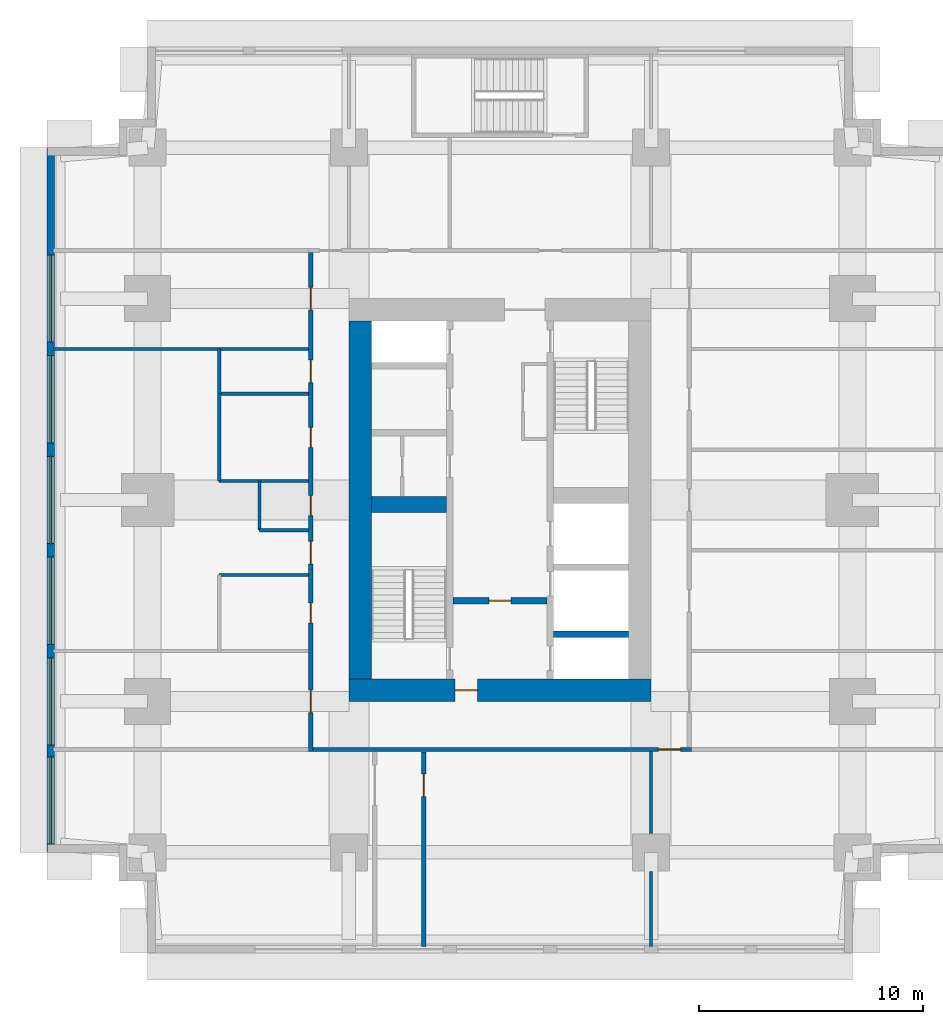
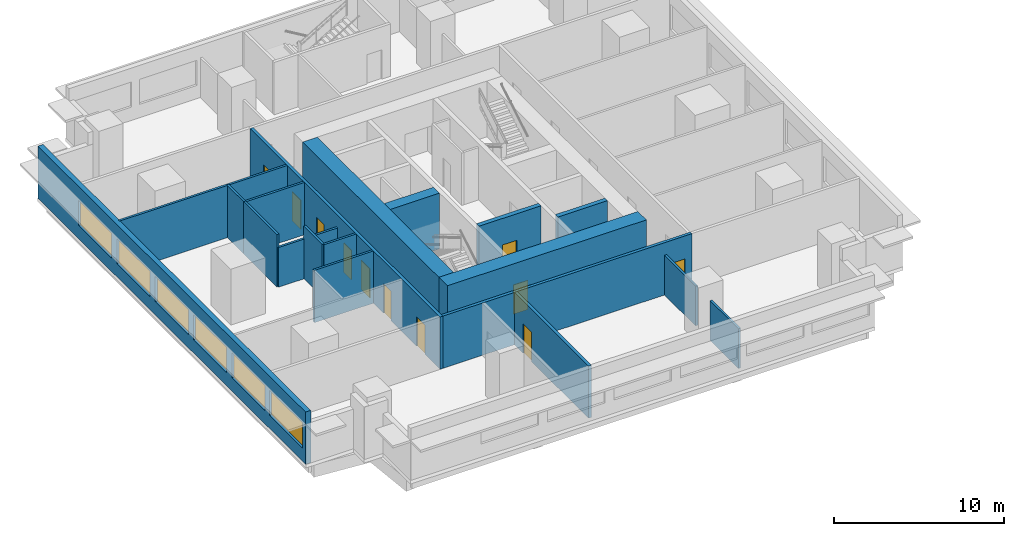
# One storey, part 3 of 11: 19 walls, 11 doors, 6 windows, 17 openings.
"""IFC4 building model written with IfcOpenShell, lengths in metres."""

from ifc_helpers import new_model, si_unit, direction, frame, frame_2d, origin, place, context, subcontext, project, spatial, rectangle, extrude, material, layer, layer_set, type_object, element, fill, save


model = new_model("IFC4")

# Units and contexts
model_context = context("Model", 3, precision=1e-05, world=origin(), true_north=direction((0.0, 1.0)))
body_context = subcontext(model_context, "Body", "Model", "MODEL_VIEW")
ifc_project = project(units=[si_unit("LENGTHUNIT", "METRE"), si_unit("AREAUNIT", "SQUARE_METRE"), si_unit("VOLUMEUNIT", "CUBIC_METRE"), si_unit("PLANEANGLEUNIT", "RADIAN"), si_unit("MASSUNIT", "GRAM", prefix="KILO")], contexts=[model_context])

# Site, building, storey
site_placement = place(None, origin())
site = spatial("IfcSite", under=ifc_project, at=site_placement, CompositionType="ELEMENT")
building_placement = place(site_placement, origin())
building = spatial("IfcBuilding", under=site, at=building_placement, Name="Namib Vertical Campus", CompositionType="ELEMENT")
storey_placement = place(building_placement, frame((0.0, 0.0, 185.0)))
storey = spatial("IfcBuildingStorey", under=building, at=storey_placement, Name="L43", CompositionType="ELEMENT", Elevation=185.0)

# Wall, opening, door
ifc_material_1 = material(Name="Concrete C60/75", Category="concrete")
ifc_layer_1 = layer(ifc_material_1, 0.300048828125)
ifc_layer_set_1 = layer_set([ifc_layer_1], Name="Concrete C60/75")
wall_type_1 = type_object("IfcWallType", Name="Core inner wall 300", PredefinedType="SHEAR", material=ifc_layer_set_1)
wall_1_placement = place(storey_placement, frame((18.14990234375, 15.75, 0.0), z_axis=(0.0, 0.0, 1.0), x_axis=(1.0, 0.0, 0.0)))
wall_1 = element("IfcWall", 1, at=wall_1_placement, inside=storey, type_object=wall_type_1, Name="Core inner wall A L43 W4", PredefinedType="SHEAR", context=body_context, shape_type="SweptSolid", body=[
    extrude(rectangle(XDim=4.2001953125, YDim=0.300048828125, at=frame_2d((2.10009765625, 0.0))), origin(), (0.0, 0.0, 1.0), 4.0),
])
opening_1_placement = place(wall_1_placement, frame((1.60009765625, 0.0, 0.0)))
opening_1 = element("IfcOpeningElement", 2, at=opening_1_placement, cuts=wall_1, Name="Opening FD5", PredefinedType="OPENING", context=body_context, shape_type="SweptSolid", body=[
    extrude(rectangle(XDim=1.0, YDim=2.10009765625, at=frame_2d((0.5, 1.050048828125))), frame((0.0, 0.159912109375, 0.0), z_axis=(0.0, -1.0, 0.0), x_axis=(1.0, 0.0, 0.0)), (0.0, 0.0, 1.0), 0.320068359375),
])
ifc_material_2 = material(Name="Steel fire door", Category="steel")
door_type_1 = type_object("IfcDoorType", Name="Fire door 1000x2100 120 min", OperationType="SINGLE_SWING_RIGHT", PredefinedType="DOOR", material=ifc_material_2)
door_1_placement = place(opening_1_placement, frame((1.0, 0.0, 0.0), z_axis=(0.0, 0.0, 1.0), x_axis=(-1.0, 0.0, 0.0)))
door_1 = element("IfcDoor", 3, at=door_1_placement, inside=storey, type_object=door_type_1, Name="Lobby door FD5 A L43", OperationType="SINGLE_SWING_RIGHT", OverallHeight=2.10009765625, OverallWidth=1.0, PredefinedType="DOOR", context=body_context, shape_type="SweptSolid", body=[
    extrude(rectangle(XDim=1.0, YDim=2.10009765625, at=frame_2d((0.5, 1.050048828125))), frame((0.0, 0.02490234375, 0.0), z_axis=(0.0, -1.0, 0.0), x_axis=(1.0, 0.0, 0.0)), (0.0, 0.0, 1.0), 0.050048828125),
])
fill(opening_1, door_1)

# Walls
wall_2_placement = place(storey_placement, frame((22.64990234375, 14.25, 0.0), z_axis=(0.0, 0.0, 1.0), x_axis=(1.0, 0.0, 0.0)))
element("IfcWall", 4, at=wall_2_placement, inside=storey, type_object=wall_type_1, Name="Core inner wall A L43 W5", PredefinedType="SHEAR", context=body_context, shape_type="SweptSolid", body=[
    extrude(rectangle(XDim=3.35009765625, YDim=0.300048828125, at=frame_2d((1.675048828125, 0.0))), origin(), (0.0, 0.0, 1.0), 4.0),
])
ifc_material_3 = material(Name="Concrete C60/75", Category="concrete")
ifc_layer_2 = layer(ifc_material_3, 0.699951171875)
ifc_layer_set_2 = layer_set([ifc_layer_2], Name="Concrete C60/75")
wall_type_2 = type_object("IfcWallType", Name="Core shear wall 700", PredefinedType="SHEAR", material=ifc_layer_set_2)
wall_3_placement = place(storey_placement, frame((14.5, 20.050048828125, 0.0), z_axis=(0.0, 0.0, 1.0), x_axis=(1.0, 0.0, 0.0)))
element("IfcWall", 5, at=wall_3_placement, inside=storey, type_object=wall_type_2, Name="Core shear wall A L43 W3", PredefinedType="SHEAR", context=body_context, shape_type="SweptSolid", body=[
    extrude(rectangle(XDim=3.35009765625, YDim=0.699951171875, at=frame_2d((1.675048828125, 0.0))), origin(), (0.0, 0.0, 1.0), 4.0),
])

# Wall, opening, door
ifc_material_4 = material(Name="Concrete C60/75", Category="concrete")
ifc_layer_3 = layer(ifc_material_4, 1.0)
ifc_layer_set_3 = layer_set([ifc_layer_3], Name="Concrete C60/75")
wall_type_3 = type_object("IfcWallType", Name="Core wall 1000", PredefinedType="SHEAR", material=ifc_layer_set_3)
wall_4_placement = place(storey_placement, frame((13.5, 11.75, 0.0), z_axis=(0.0, 0.0, 1.0), x_axis=(1.0, 0.0, 0.0)))
wall_4 = element("IfcWall", 6, at=wall_4_placement, inside=storey, type_object=wall_type_3, Name="Core wall A L43 1", PredefinedType="SHEAR", context=body_context, shape_type="SweptSolid", body=[
    extrude(rectangle(XDim=13.5, YDim=1.0, at=frame_2d((6.75, 0.0))), origin(), (0.0, 0.0, 1.0), 4.0),
])
opening_2_placement = place(wall_4_placement, frame((4.75, 0.0, 0.0)))
opening_2 = element("IfcOpeningElement", 7, at=opening_2_placement, cuts=wall_4, Name="Opening FD5", PredefinedType="OPENING", context=body_context, shape_type="SweptSolid", body=[
    extrude(rectangle(XDim=1.0, YDim=2.10009765625, at=frame_2d((0.5, 1.050048828125))), frame((0.0, 0.510009765625, 0.0), z_axis=(0.0, -1.0, 0.0), x_axis=(1.0, 0.0, 0.0)), (0.0, 0.0, 1.0), 1.02001953125),
])
door_2_placement = place(opening_2_placement, origin())
door_2 = element("IfcDoor", 8, at=door_2_placement, inside=storey, type_object=door_type_1, Name="Firefighting lobby door FD5 A L43", OperationType="SINGLE_SWING_LEFT", OverallHeight=2.10009765625, OverallWidth=1.0, PredefinedType="DOOR", context=body_context, shape_type="SweptSolid", body=[
    extrude(rectangle(XDim=1.0, YDim=2.10009765625, at=frame_2d((0.5, 1.050048828125))), frame((0.0, 0.02490234375, 0.0), z_axis=(0.0, -1.0, 0.0), x_axis=(1.0, 0.0, 0.0)), (0.0, 0.0, 1.0), 0.050048828125),
])
fill(opening_2, door_2)

# Wall
wall_5_placement = place(storey_placement, frame((14.0, 28.25, 0.0), z_axis=(0.0, 0.0, 1.0), x_axis=(0.0, -1.0, 0.0)))
element("IfcWall", 9, at=wall_5_placement, inside=storey, type_object=wall_type_3, Name="Core wall A L43 4", PredefinedType="SHEAR", context=body_context, shape_type="SweptSolid", body=[
    extrude(rectangle(XDim=16.0, YDim=1.0, at=frame_2d((8.0, 0.0))), origin(), (0.0, 0.0, 1.0), 4.0),
])

# Wall, opening, door
ifc_material_5 = material(Name="Concrete masonry", Category="masonry")
ifc_layer_4 = layer(ifc_material_5, 0.199951171875)
ifc_layer_set_4 = layer_set([ifc_layer_4], Name="Corridor wall 200")
wall_type_4 = type_object("IfcWallType", Name="Corridor wall 200", PredefinedType="SOLIDWALL", material=ifc_layer_set_4)
wall_6_placement = place(storey_placement, frame((11.89990234375, 9.10009765625, 0.0), z_axis=(0.0, 0.0, 1.0), x_axis=(1.0, 0.0, 0.0)))
wall_6 = element("IfcWall", 10, at=wall_6_placement, inside=storey, type_object=wall_type_4, Name="Corridor wall A L43 CS", PredefinedType="SOLIDWALL", context=body_context, shape_type="SweptSolid", body=[
    extrude(rectangle(XDim=16.900146484375, YDim=0.199951171875, at=frame_2d((8.4501953125, 0.0))), origin(), (0.0, 0.0, 1.0), 3.75),
])
opening_3_placement = place(wall_6_placement, frame((15.425048828125, 0.0, 0.0)))
opening_3 = element("IfcOpeningElement", 11, at=opening_3_placement, cuts=wall_6, Name="Opening CD1", PredefinedType="OPENING", context=body_context, shape_type="SweptSolid", body=[
    extrude(rectangle(XDim=1.0, YDim=2.10009765625, at=frame_2d((0.5, 1.050048828125))), frame((0.0, 0.10986328125, 0.0), z_axis=(0.0, -1.0, 0.0), x_axis=(1.0, 0.0, 0.0)), (0.0, 0.0, 1.0), 0.219970703125),
])
ifc_material_6 = material(Name="Timber fire door leaf", Category="wood")
door_type_2 = type_object("IfcDoorType", Name="Corridor door 1000x2100 20 min", OperationType="SINGLE_SWING_LEFT", PredefinedType="DOOR", material=ifc_material_6)
door_3_placement = place(opening_3_placement, frame((1.0, 0.0, 0.0), z_axis=(0.0, 0.0, 1.0), x_axis=(-1.0, 0.0, 0.0)))
door_3 = element("IfcDoor", 12, at=door_3_placement, inside=storey, type_object=door_type_2, Name="Door CD1 A43-03", OperationType="SINGLE_SWING_RIGHT", OverallHeight=2.10009765625, OverallWidth=1.0, PredefinedType="DOOR", context=body_context, shape_type="SweptSolid", body=[
    extrude(rectangle(XDim=1.0, YDim=2.10009765625, at=frame_2d((0.5, 1.050048828125))), frame((0.0, 0.02490234375, 0.0), z_axis=(0.0, -1.0, 0.0), x_axis=(1.0, 0.0, 0.0)), (0.0, 0.0, 1.0), 0.050048828125),
])
fill(opening_3, door_3)

# Wall, openings, doors
wall_7_placement = place(storey_placement, frame((11.800048828125, 31.300048828125, 0.0), z_axis=(0.0, 0.0, 1.0), x_axis=(0.0, -1.0, 0.0)))
wall_7 = element("IfcWall", 13, at=wall_7_placement, inside=storey, type_object=wall_type_4, Name="Corridor wall A L43 CW", PredefinedType="SOLIDWALL", context=body_context, shape_type="SweptSolid", body=[
    extrude(rectangle(XDim=22.300048828125, YDim=0.199951171875, at=frame_2d((11.14990234375, 0.0))), origin(), (0.0, 0.0, 1.0), 3.75),
])
opening_4_placement = place(wall_7_placement, frame((19.550048828125, 0.0, 0.0)))
opening_4 = element("IfcOpeningElement", 14, at=opening_4_placement, cuts=wall_7, Name="Opening CD1", PredefinedType="OPENING", context=body_context, shape_type="SweptSolid", body=[
    extrude(rectangle(XDim=1.0, YDim=2.10009765625, at=frame_2d((0.5, 1.050048828125))), frame((0.0, 0.10986328125, 0.0), z_axis=(0.0, -1.0, 0.0), x_axis=(1.0, 0.0, 0.0)), (0.0, 0.0, 1.0), 0.219970703125),
])
opening_5_placement = place(wall_7_placement, frame((15.64990234375, 0.0, 0.0)))
opening_5 = element("IfcOpeningElement", 15, at=opening_5_placement, cuts=wall_7, Name="Opening CD3", PredefinedType="OPENING", context=body_context, shape_type="SweptSolid", body=[
    extrude(rectangle(XDim=0.89990234375, YDim=2.10009765625, at=frame_2d((0.449951171875, 1.050048828125))), frame((0.0, 0.10986328125, 0.0), z_axis=(0.0, -1.0, 0.0), x_axis=(1.0, 0.0, 0.0)), (0.0, 0.0, 1.0), 0.219970703125),
])
opening_6_placement = place(wall_7_placement, frame((10.85009765625, 0.0, 0.0)))
opening_6 = element("IfcOpeningElement", 16, at=opening_6_placement, cuts=wall_7, Name="Opening CD3", PredefinedType="OPENING", context=body_context, shape_type="SweptSolid", body=[
    extrude(rectangle(XDim=0.89990234375, YDim=2.10009765625, at=frame_2d((0.449951171875, 1.050048828125))), frame((0.0, 0.10986328125, 0.0), z_axis=(0.0, -1.0, 0.0), x_axis=(1.0, 0.0, 0.0)), (0.0, 0.0, 1.0), 0.219970703125),
])
opening_7_placement = place(wall_7_placement, frame((7.800048828125, 0.0, 0.0)))
opening_7 = element("IfcOpeningElement", 17, at=opening_7_placement, cuts=wall_7, Name="Opening CD3", PredefinedType="OPENING", context=body_context, shape_type="SweptSolid", body=[
    extrude(rectangle(XDim=0.89990234375, YDim=2.10009765625, at=frame_2d((0.449951171875, 1.050048828125))), frame((0.0, 0.10986328125, 0.0), z_axis=(0.0, -1.0, 0.0), x_axis=(1.0, 0.0, 0.0)), (0.0, 0.0, 1.0), 0.219970703125),
])
opening_8_placement = place(wall_7_placement, frame((4.800048828125, 0.0, 0.0)))
opening_8 = element("IfcOpeningElement", 18, at=opening_8_placement, cuts=wall_7, Name="Opening CD1", PredefinedType="OPENING", context=body_context, shape_type="SweptSolid", body=[
    extrude(rectangle(XDim=1.0, YDim=2.10009765625, at=frame_2d((0.5, 1.050048828125))), frame((0.0, 0.10986328125, 0.0), z_axis=(0.0, -1.0, 0.0), x_axis=(1.0, 0.0, 0.0)), (0.0, 0.0, 1.0), 0.219970703125),
])
opening_9_placement = place(wall_7_placement, frame((12.89990234375, 0.0, 0.0)))
opening_9 = element("IfcOpeningElement", 19, at=opening_9_placement, cuts=wall_7, Name="Opening CD1", PredefinedType="OPENING", context=body_context, shape_type="SweptSolid", body=[
    extrude(rectangle(XDim=1.0, YDim=2.10009765625, at=frame_2d((0.5, 1.050048828125))), frame((0.0, 0.10986328125, 0.0), z_axis=(0.0, -1.0, 0.0), x_axis=(1.0, 0.0, 0.0)), (0.0, 0.0, 1.0), 0.219970703125),
])
opening_10_placement = place(wall_7_placement, frame((1.550048828125, 0.0, 0.0)))
opening_10 = element("IfcOpeningElement", 20, at=opening_10_placement, cuts=wall_7, Name="Opening CD1", PredefinedType="OPENING", context=body_context, shape_type="SweptSolid", body=[
    extrude(rectangle(XDim=1.0, YDim=2.10009765625, at=frame_2d((0.5, 1.050048828125))), frame((0.0, 0.10986328125, 0.0), z_axis=(0.0, -1.0, 0.0), x_axis=(1.0, 0.0, 0.0)), (0.0, 0.0, 1.0), 0.219970703125),
])
door_4_placement = place(opening_4_placement, frame((1.0, 0.0, 0.0), z_axis=(0.0, 0.0, 1.0), x_axis=(-1.0, 0.0, 0.0)))
door_4 = element("IfcDoor", 21, at=door_4_placement, inside=storey, type_object=door_type_2, Name="Door CD1 A43-13", OperationType="SINGLE_SWING_RIGHT", OverallHeight=2.10009765625, OverallWidth=1.0, PredefinedType="DOOR", context=body_context, shape_type="SweptSolid", body=[
    extrude(rectangle(XDim=1.0, YDim=2.10009765625, at=frame_2d((0.5, 1.050048828125))), frame((0.0, 0.02490234375, 0.0), z_axis=(0.0, -1.0, 0.0), x_axis=(1.0, 0.0, 0.0)), (0.0, 0.0, 1.0), 0.050048828125),
])
fill(opening_4, door_4)
door_5_placement = place(opening_8_placement, frame((1.0, 0.0, 0.0), z_axis=(0.0, 0.0, 1.0), x_axis=(-1.0, 0.0, 0.0)))
door_5 = element("IfcDoor", 22, at=door_5_placement, inside=storey, type_object=door_type_2, Name="Door CD1 A43-17", OperationType="SINGLE_SWING_RIGHT", OverallHeight=2.10009765625, OverallWidth=1.0, PredefinedType="DOOR", context=body_context, shape_type="SweptSolid", body=[
    extrude(rectangle(XDim=1.0, YDim=2.10009765625, at=frame_2d((0.5, 1.050048828125))), frame((0.0, 0.02490234375, 0.0), z_axis=(0.0, -1.0, 0.0), x_axis=(1.0, 0.0, 0.0)), (0.0, 0.0, 1.0), 0.050048828125),
])
fill(opening_8, door_5)
door_6_placement = place(opening_9_placement, frame((1.0, 0.0, 0.0), z_axis=(0.0, 0.0, 1.0), x_axis=(-1.0, 0.0, 0.0)))
door_6 = element("IfcDoor", 23, at=door_6_placement, inside=storey, type_object=door_type_2, Name="Door CD1 A43-18", OperationType="SINGLE_SWING_RIGHT", OverallHeight=2.10009765625, OverallWidth=1.0, PredefinedType="DOOR", context=body_context, shape_type="SweptSolid", body=[
    extrude(rectangle(XDim=1.0, YDim=2.10009765625, at=frame_2d((0.5, 1.050048828125))), frame((0.0, 0.02490234375, 0.0), z_axis=(0.0, -1.0, 0.0), x_axis=(1.0, 0.0, 0.0)), (0.0, 0.0, 1.0), 0.050048828125),
])
fill(opening_9, door_6)
door_7_placement = place(opening_10_placement, frame((1.0, 0.0, 0.0), z_axis=(0.0, 0.0, 1.0), x_axis=(-1.0, 0.0, 0.0)))
door_7 = element("IfcDoor", 24, at=door_7_placement, inside=storey, type_object=door_type_2, Name="Door CD1 A43-19", OperationType="SINGLE_SWING_RIGHT", OverallHeight=2.10009765625, OverallWidth=1.0, PredefinedType="DOOR", context=body_context, shape_type="SweptSolid", body=[
    extrude(rectangle(XDim=1.0, YDim=2.10009765625, at=frame_2d((0.5, 1.050048828125))), frame((0.0, 0.02490234375, 0.0), z_axis=(0.0, -1.0, 0.0), x_axis=(1.0, 0.0, 0.0)), (0.0, 0.0, 1.0), 0.050048828125),
])
fill(opening_10, door_7)
ifc_material_7 = material(Name="Timber fire door leaf", Category="wood")
door_type_3 = type_object("IfcDoorType", Name="Corridor toilet door 900x2100 20 min", OperationType="SINGLE_SWING_LEFT", PredefinedType="DOOR", material=ifc_material_7)
door_8_placement = place(opening_5_placement, frame((0.89990234375, 0.0, 0.0), z_axis=(0.0, 0.0, 1.0), x_axis=(-1.0, 0.0, 0.0)))
door_8 = element("IfcDoor", 25, at=door_8_placement, inside=storey, type_object=door_type_3, Name="Door CD3 A43-14", OperationType="SINGLE_SWING_RIGHT", OverallHeight=2.10009765625, OverallWidth=0.89990234375, PredefinedType="DOOR", context=body_context, shape_type="SweptSolid", body=[
    extrude(rectangle(XDim=0.89990234375, YDim=2.10009765625, at=frame_2d((0.449951171875, 1.050048828125))), frame((0.0, 0.02490234375, 0.0), z_axis=(0.0, -1.0, 0.0), x_axis=(1.0, 0.0, 0.0)), (0.0, 0.0, 1.0), 0.050048828125),
])
fill(opening_5, door_8)
door_9_placement = place(opening_6_placement, frame((0.89990234375, 0.0, 0.0), z_axis=(0.0, 0.0, 1.0), x_axis=(-1.0, 0.0, 0.0)))
door_9 = element("IfcDoor", 26, at=door_9_placement, inside=storey, type_object=door_type_3, Name="Door CD3 A43-15", OperationType="SINGLE_SWING_RIGHT", OverallHeight=2.10009765625, OverallWidth=0.89990234375, PredefinedType="DOOR", context=body_context, shape_type="SweptSolid", body=[
    extrude(rectangle(XDim=0.89990234375, YDim=2.10009765625, at=frame_2d((0.449951171875, 1.050048828125))), frame((0.0, 0.02490234375, 0.0), z_axis=(0.0, -1.0, 0.0), x_axis=(1.0, 0.0, 0.0)), (0.0, 0.0, 1.0), 0.050048828125),
])
fill(opening_6, door_9)
door_10_placement = place(opening_7_placement, frame((0.89990234375, 0.0, 0.0), z_axis=(0.0, 0.0, 1.0), x_axis=(-1.0, 0.0, 0.0)))
door_10 = element("IfcDoor", 27, at=door_10_placement, inside=storey, type_object=door_type_3, Name="Door CD3 A43-16", OperationType="SINGLE_SWING_RIGHT", OverallHeight=2.10009765625, OverallWidth=0.89990234375, PredefinedType="DOOR", context=body_context, shape_type="SweptSolid", body=[
    extrude(rectangle(XDim=0.89990234375, YDim=2.10009765625, at=frame_2d((0.449951171875, 1.050048828125))), frame((0.0, 0.02490234375, 0.0), z_axis=(0.0, -1.0, 0.0), x_axis=(1.0, 0.0, 0.0)), (0.0, 0.0, 1.0), 0.050048828125),
])
fill(opening_7, door_10)

# Wall, opening, door
wall_8_placement = place(storey_placement, frame((16.85009765625, 9.0, 0.0), z_axis=(0.0, 0.0, 1.0), x_axis=(0.0, -1.0, 0.0)))
wall_8 = element("IfcWall", 28, at=wall_8_placement, inside=storey, type_object=wall_type_4, Name="Corridor wall A L43 SPS2", PredefinedType="SOLIDWALL", context=body_context, shape_type="SweptSolid", body=[
    extrude(rectangle(XDim=8.699951171875, YDim=0.199951171875, at=frame_2d((4.35009765625, 0.0))), origin(), (0.0, 0.0, 1.0), 3.75),
])
opening_11_placement = place(wall_8_placement, frame((1.0, 0.0, 0.0)))
opening_11 = element("IfcOpeningElement", 29, at=opening_11_placement, cuts=wall_8, Name="Opening CD1", PredefinedType="OPENING", context=body_context, shape_type="SweptSolid", body=[
    extrude(rectangle(XDim=1.0, YDim=2.10009765625, at=frame_2d((0.5, 1.050048828125))), frame((0.0, 0.10986328125, 0.0), z_axis=(0.0, -1.0, 0.0), x_axis=(1.0, 0.0, 0.0)), (0.0, 0.0, 1.0), 0.219970703125),
])
door_11_placement = place(opening_11_placement, origin())
door_11 = element("IfcDoor", 30, at=door_11_placement, inside=storey, type_object=door_type_2, Name="Door CD1 A43-02", OperationType="SINGLE_SWING_LEFT", OverallHeight=2.10009765625, OverallWidth=1.0, PredefinedType="DOOR", context=body_context, shape_type="SweptSolid", body=[
    extrude(rectangle(XDim=1.0, YDim=2.10009765625, at=frame_2d((0.5, 1.050048828125))), frame((0.0, 0.02490234375, 0.0), z_axis=(0.0, -1.0, 0.0), x_axis=(1.0, 0.0, 0.0)), (0.0, 0.0, 1.0), 0.050048828125),
])
fill(opening_11, door_11)

# Wall, openings, windows
ifc_material_8 = material(Name="Concrete C40/50", Category="concrete")
ifc_layer_5 = layer(ifc_material_8, 0.35009765625)
ifc_layer_set_5 = layer_set([ifc_layer_5], Name="Concrete C40/50")
wall_type_5 = type_object("IfcWallType", Name="External wall 350 bush-hammered concrete", PredefinedType="STANDARD", material=ifc_layer_set_5)
wall_9_placement = place(storey_placement, frame((0.175048828125, 35.97998046875, 0.0), z_axis=(0.0, 0.0, 1.0), x_axis=(0.0, -1.0, 0.0)))
wall_9 = element("IfcWall", 31, at=wall_9_placement, inside=storey, type_object=wall_type_5, Name="External wall L43 F16", PredefinedType="STANDARD", context=body_context, shape_type="SweptSolid", body=[
    extrude(rectangle(XDim=31.4599609375, YDim=0.35009765625, at=frame_2d((15.72998046875, 0.0))), origin(), (0.0, 0.0, 1.0), 3.75),
])
opening_12_placement = place(wall_9_placement, frame((27.2099609375, 0.0, 0.949951171875)))
opening_12 = element("IfcOpeningElement", 32, at=opening_12_placement, cuts=wall_9, Name="Opening W3", PredefinedType="OPENING", context=body_context, shape_type="SweptSolid", body=[
    extrude(rectangle(XDim=3.89990234375, YDim=1.800048828125, at=frame_2d((1.949951171875, 0.89990234375))), frame((0.0, 0.18505859375, 0.0), z_axis=(0.0, -1.0, 0.0), x_axis=(1.0, 0.0, 0.0)), (0.0, 0.0, 1.0), 0.3701171875),
])
opening_13_placement = place(wall_9_placement, frame((22.780029296875, 0.0, 0.949951171875)))
opening_13 = element("IfcOpeningElement", 33, at=opening_13_placement, cuts=wall_9, Name="Opening W3", PredefinedType="OPENING", context=body_context, shape_type="SweptSolid", body=[
    extrude(rectangle(XDim=3.89990234375, YDim=1.800048828125, at=frame_2d((1.949951171875, 0.89990234375))), frame((0.0, 0.18505859375, 0.0), z_axis=(0.0, -1.0, 0.0), x_axis=(1.0, 0.0, 0.0)), (0.0, 0.0, 1.0), 0.3701171875),
])
opening_14_placement = place(wall_9_placement, frame((18.280029296875, 0.0, 0.949951171875)))
opening_14 = element("IfcOpeningElement", 34, at=opening_14_placement, cuts=wall_9, Name="Opening W3", PredefinedType="OPENING", context=body_context, shape_type="SweptSolid", body=[
    extrude(rectangle(XDim=3.89990234375, YDim=1.800048828125, at=frame_2d((1.949951171875, 0.89990234375))), frame((0.0, 0.18505859375, 0.0), z_axis=(0.0, -1.0, 0.0), x_axis=(1.0, 0.0, 0.0)), (0.0, 0.0, 1.0), 0.3701171875),
])
opening_15_placement = place(wall_9_placement, frame((13.780029296875, 0.0, 0.949951171875)))
opening_15 = element("IfcOpeningElement", 35, at=opening_15_placement, cuts=wall_9, Name="Opening W3", PredefinedType="OPENING", context=body_context, shape_type="SweptSolid", body=[
    extrude(rectangle(XDim=3.89990234375, YDim=1.800048828125, at=frame_2d((1.949951171875, 0.89990234375))), frame((0.0, 0.18505859375, 0.0), z_axis=(0.0, -1.0, 0.0), x_axis=(1.0, 0.0, 0.0)), (0.0, 0.0, 1.0), 0.3701171875),
])
opening_16_placement = place(wall_9_placement, frame((9.280029296875, 0.0, 0.949951171875)))
opening_16 = element("IfcOpeningElement", 36, at=opening_16_placement, cuts=wall_9, Name="Opening W3", PredefinedType="OPENING", context=body_context, shape_type="SweptSolid", body=[
    extrude(rectangle(XDim=3.89990234375, YDim=1.800048828125, at=frame_2d((1.949951171875, 0.89990234375))), frame((0.0, 0.18505859375, 0.0), z_axis=(0.0, -1.0, 0.0), x_axis=(1.0, 0.0, 0.0)), (0.0, 0.0, 1.0), 0.3701171875),
])
opening_17_placement = place(wall_9_placement, frame((4.780029296875, 0.0, 0.949951171875)))
opening_17 = element("IfcOpeningElement", 37, at=opening_17_placement, cuts=wall_9, Name="Opening W3", PredefinedType="OPENING", context=body_context, shape_type="SweptSolid", body=[
    extrude(rectangle(XDim=3.89990234375, YDim=1.800048828125, at=frame_2d((1.949951171875, 0.89990234375))), frame((0.0, 0.18505859375, 0.0), z_axis=(0.0, -1.0, 0.0), x_axis=(1.0, 0.0, 0.0)), (0.0, 0.0, 1.0), 0.3701171875),
])
ifc_material_9 = material(Name="Dark tinted glass in black aluminium frame", Category="aluminium")
window_type = type_object("IfcWindowType", Name="Ribbon window 3900x1800", PartitioningType="SINGLE_PANEL", PredefinedType="WINDOW", material=ifc_material_9)
window_1_placement = place(opening_12_placement, origin())
window_1 = element("IfcWindow", 38, at=window_1_placement, inside=storey, type_object=window_type, Name="Window W3 L43 F16-1", OverallHeight=1.800048828125, OverallWidth=3.89990234375, PartitioningType="SINGLE_PANEL", PredefinedType="WINDOW", context=body_context, shape_type="SweptSolid", body=[
    extrude(rectangle(XDim=3.89990234375, YDim=1.800048828125, at=frame_2d((1.949951171875, 0.89990234375))), frame((0.0, 0.030029296875, 0.0), z_axis=(0.0, -1.0, 0.0), x_axis=(1.0, 0.0, 0.0)), (0.0, 0.0, 1.0), 0.06005859375),
])
fill(opening_12, window_1)
window_2_placement = place(opening_13_placement, origin())
window_2 = element("IfcWindow", 39, at=window_2_placement, inside=storey, type_object=window_type, Name="Window W3 L43 F16-2", OverallHeight=1.800048828125, OverallWidth=3.89990234375, PartitioningType="SINGLE_PANEL", PredefinedType="WINDOW", context=body_context, shape_type="SweptSolid", body=[
    extrude(rectangle(XDim=3.89990234375, YDim=1.800048828125, at=frame_2d((1.949951171875, 0.89990234375))), frame((0.0, 0.030029296875, 0.0), z_axis=(0.0, -1.0, 0.0), x_axis=(1.0, 0.0, 0.0)), (0.0, 0.0, 1.0), 0.06005859375),
])
fill(opening_13, window_2)
window_3_placement = place(opening_14_placement, origin())
window_3 = element("IfcWindow", 40, at=window_3_placement, inside=storey, type_object=window_type, Name="Window W3 L43 F16-3", OverallHeight=1.800048828125, OverallWidth=3.89990234375, PartitioningType="SINGLE_PANEL", PredefinedType="WINDOW", context=body_context, shape_type="SweptSolid", body=[
    extrude(rectangle(XDim=3.89990234375, YDim=1.800048828125, at=frame_2d((1.949951171875, 0.89990234375))), frame((0.0, 0.030029296875, 0.0), z_axis=(0.0, -1.0, 0.0), x_axis=(1.0, 0.0, 0.0)), (0.0, 0.0, 1.0), 0.06005859375),
])
fill(opening_14, window_3)
window_4_placement = place(opening_15_placement, origin())
window_4 = element("IfcWindow", 41, at=window_4_placement, inside=storey, type_object=window_type, Name="Window W3 L43 F16-4", OverallHeight=1.800048828125, OverallWidth=3.89990234375, PartitioningType="SINGLE_PANEL", PredefinedType="WINDOW", context=body_context, shape_type="SweptSolid", body=[
    extrude(rectangle(XDim=3.89990234375, YDim=1.800048828125, at=frame_2d((1.949951171875, 0.89990234375))), frame((0.0, 0.030029296875, 0.0), z_axis=(0.0, -1.0, 0.0), x_axis=(1.0, 0.0, 0.0)), (0.0, 0.0, 1.0), 0.06005859375),
])
fill(opening_15, window_4)
window_5_placement = place(opening_16_placement, origin())
window_5 = element("IfcWindow", 42, at=window_5_placement, inside=storey, type_object=window_type, Name="Window W3 L43 F16-5", OverallHeight=1.800048828125, OverallWidth=3.89990234375, PartitioningType="SINGLE_PANEL", PredefinedType="WINDOW", context=body_context, shape_type="SweptSolid", body=[
    extrude(rectangle(XDim=3.89990234375, YDim=1.800048828125, at=frame_2d((1.949951171875, 0.89990234375))), frame((0.0, 0.030029296875, 0.0), z_axis=(0.0, -1.0, 0.0), x_axis=(1.0, 0.0, 0.0)), (0.0, 0.0, 1.0), 0.06005859375),
])
fill(opening_16, window_5)
window_6_placement = place(opening_17_placement, origin())
window_6 = element("IfcWindow", 43, at=window_6_placement, inside=storey, type_object=window_type, Name="Window W3 L43 F16-6", OverallHeight=1.800048828125, OverallWidth=3.89990234375, PartitioningType="SINGLE_PANEL", PredefinedType="WINDOW", context=body_context, shape_type="SweptSolid", body=[
    extrude(rectangle(XDim=3.89990234375, YDim=1.800048828125, at=frame_2d((1.949951171875, 0.89990234375))), frame((0.0, 0.030029296875, 0.0), z_axis=(0.0, -1.0, 0.0), x_axis=(1.0, 0.0, 0.0)), (0.0, 0.0, 1.0), 0.06005859375),
])
fill(opening_17, window_6)

# Walls
ifc_material_10 = material(Name="Gypsum board on steel studs", Category="steel")
ifc_layer_6 = layer(ifc_material_10, 0.14990234375)
ifc_layer_set_6 = layer_set([ifc_layer_6], Name="Gypsum board on steel studs")
wall_type_6 = type_object("IfcWallType", Name="Partition 150", PredefinedType="PARTITIONING", material=ifc_layer_set_6)
wall_10_placement = place(storey_placement, frame((27.0, 0.300048828125, 0.0), z_axis=(0.0, 0.0, 1.0), x_axis=(0.0, 1.0, 0.0)))
element("IfcWall", 44, at=wall_10_placement, inside=storey, type_object=wall_type_6, Name="Partition A L43 PS3", PredefinedType="PARTITIONING", context=body_context, shape_type="SweptSolid", body=[
    extrude(rectangle(XDim=3.35498046875, YDim=0.14990234375, at=frame_2d((1.677490234375, 0.0))), origin(), (0.0, 0.0, 1.0), 2.85009765625),
])
wall_11_placement = place(storey_placement, frame((27.0, 5.344970703125, 0.0), z_axis=(0.0, 0.0, 1.0), x_axis=(0.0, 1.0, 0.0)))
element("IfcWall", 45, at=wall_11_placement, inside=storey, type_object=wall_type_6, Name="Partition A L43 PS3", PredefinedType="PARTITIONING", context=body_context, shape_type="SweptSolid", body=[
    extrude(rectangle(XDim=3.655029296875, YDim=0.14990234375, at=frame_2d((1.82763671875, 0.0))), origin(), (0.0, 0.0, 1.0), 2.85009765625),
])
wall_12_placement = place(storey_placement, frame((0.300048828125, 27.0, 0.0), z_axis=(0.0, 0.0, 1.0), x_axis=(1.0, 0.0, 0.0)))
element("IfcWall", 46, at=wall_12_placement, inside=storey, type_object=wall_type_6, Name="Partition A L43 PW2", PredefinedType="PARTITIONING", context=body_context, shape_type="SweptSolid", body=[
    extrude(rectangle(XDim=11.39990234375, YDim=0.14990234375, at=frame_2d((5.699951171875, 0.0))), origin(), (0.0, 0.0, 1.0), 3.75),
])
wall_13_placement = place(storey_placement, frame((11.699951171875, 16.89990234375, 0.0), z_axis=(0.0, 0.0, 1.0), x_axis=(-1.0, 0.0, 0.0)))
element("IfcWall", 47, at=wall_13_placement, inside=storey, type_object=wall_type_6, Name="Partition A L43 WR1", PredefinedType="PARTITIONING", context=body_context, shape_type="SweptSolid", body=[
    extrude(rectangle(XDim=4.0, YDim=0.14990234375, at=frame_2d((2.0, 0.0))), origin(), (0.0, 0.0, 1.0), 3.75),
])
wall_14_placement = place(storey_placement, frame((11.699951171875, 18.89990234375, 0.0), z_axis=(0.0, 0.0, 1.0), x_axis=(-1.0, 0.0, 0.0)))
element("IfcWall", 48, at=wall_14_placement, inside=storey, type_object=wall_type_6, Name="Partition A L43 WR2", PredefinedType="PARTITIONING", context=body_context, shape_type="SweptSolid", body=[
    extrude(rectangle(XDim=2.199951171875, YDim=0.14990234375, at=frame_2d((1.10009765625, 0.0))), origin(), (0.0, 0.0, 1.0), 3.75),
])
wall_15_placement = place(storey_placement, frame((11.699951171875, 21.10009765625, 0.0), z_axis=(0.0, 0.0, 1.0), x_axis=(-1.0, 0.0, 0.0)))
element("IfcWall", 49, at=wall_15_placement, inside=storey, type_object=wall_type_6, Name="Partition A L43 WR3", PredefinedType="PARTITIONING", context=body_context, shape_type="SweptSolid", body=[
    extrude(rectangle(XDim=4.0, YDim=0.14990234375, at=frame_2d((2.0, 0.0))), origin(), (0.0, 0.0, 1.0), 2.85009765625),
])
wall_16_placement = place(storey_placement, frame((11.699951171875, 25.0, 0.0), z_axis=(0.0, 0.0, 1.0), x_axis=(-1.0, 0.0, 0.0)))
element("IfcWall", 50, at=wall_16_placement, inside=storey, type_object=wall_type_6, Name="Partition A L43 WR4", PredefinedType="PARTITIONING", context=body_context, shape_type="SweptSolid", body=[
    extrude(rectangle(XDim=4.0, YDim=0.14990234375, at=frame_2d((2.0, 0.0))), origin(), (0.0, 0.0, 1.0), 3.75),
])
wall_17_placement = place(storey_placement, frame((9.5, 18.89990234375, 0.0), z_axis=(0.0, 0.0, 1.0), x_axis=(0.0, 1.0, 0.0)))
element("IfcWall", 51, at=wall_17_placement, inside=storey, type_object=wall_type_6, Name="Partition A L43 WB2", PredefinedType="PARTITIONING", context=body_context, shape_type="SweptSolid", body=[
    extrude(rectangle(XDim=2.2001953125, YDim=0.14990234375, at=frame_2d((1.10009765625, 0.0))), origin(), (0.0, 0.0, 1.0), 3.75),
])
wall_18_placement = place(storey_placement, frame((7.699951171875, 21.10009765625, 0.0), z_axis=(0.0, 0.0, 1.0), x_axis=(0.0, 1.0, 0.0)))
element("IfcWall", 52, at=wall_18_placement, inside=storey, type_object=wall_type_6, Name="Partition A L43 WB3", PredefinedType="PARTITIONING", context=body_context, shape_type="SweptSolid", body=[
    extrude(rectangle(XDim=3.89990234375, YDim=0.14990234375, at=frame_2d((1.949951171875, 0.0))), origin(), (0.0, 0.0, 1.0), 3.75),
])
wall_19_placement = place(storey_placement, frame((7.699951171875, 25.0, 0.0), z_axis=(0.0, 0.0, 1.0), x_axis=(0.0, 1.0, 0.0)))
element("IfcWall", 53, at=wall_19_placement, inside=storey, type_object=wall_type_6, Name="Partition A L43 WB4", PredefinedType="PARTITIONING", context=body_context, shape_type="SweptSolid", body=[
    extrude(rectangle(XDim=2.0, YDim=0.14990234375, at=frame_2d((1.0, 0.0))), origin(), (0.0, 0.0, 1.0), 3.75),
])

save(model, "model.ifc")
